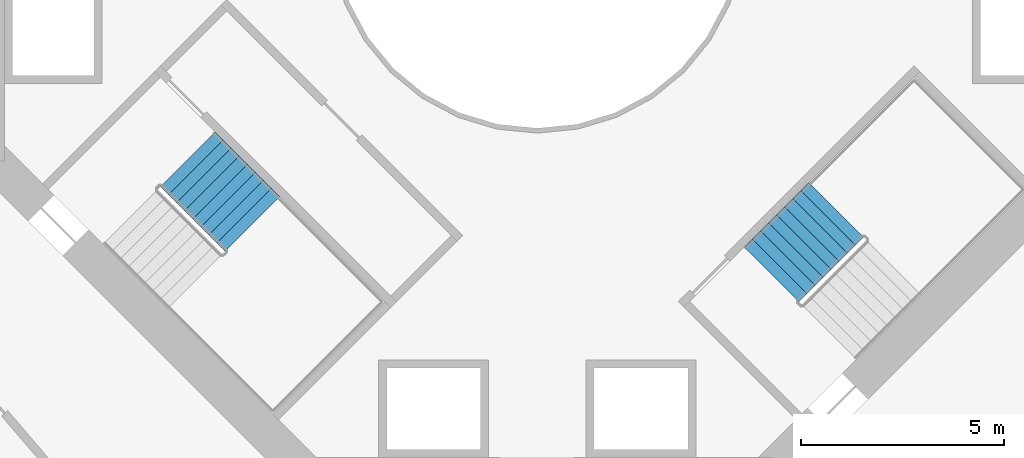
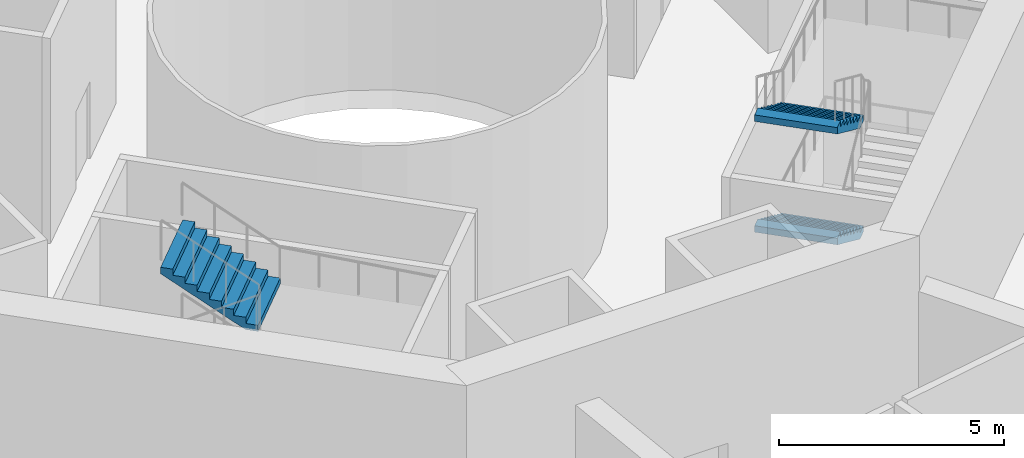
# One storey, part 15 of 20: 3 stair flights, 2 elements without a shape of their own.
"""IFC4 building model written with IfcOpenShell, lengths in metres."""

from ifc_helpers import new_model, si_unit, direction, frame, origin, place, context, subcontext, project, spatial, triangles, material, type_object, element, aggregate, save


model = new_model("IFC4")

# Units and contexts
model_context = context("Model", 3, precision=1e-05, world=origin(), true_north=direction((0.0, 1.0)))
body_context = subcontext(model_context, "Body", "Model", "MODEL_VIEW")
ifc_project = project(units=[si_unit("LENGTHUNIT", "METRE"), si_unit("AREAUNIT", "SQUARE_METRE"), si_unit("VOLUMEUNIT", "CUBIC_METRE"), si_unit("PLANEANGLEUNIT", "RADIAN"), si_unit("MASSUNIT", "GRAM", prefix="KILO")], contexts=[model_context])

# Site, building, storey
site_placement = place(None, origin())
site = spatial("IfcSite", under=ifc_project, at=site_placement, CompositionType="ELEMENT")
building_placement = place(site_placement, origin())
building = spatial("IfcBuilding", under=site, at=building_placement, Name="Verdalira Terraces Hotel", CompositionType="ELEMENT")
storey_placement = place(building_placement, frame((0.0, 0.0, 75.0)))
storey = spatial("IfcBuildingStorey", under=building, at=storey_placement, Name="L17", CompositionType="ELEMENT", Elevation=75.0)

# Stair, stair flight
ifc_material_1 = material(Name="Concrete C40", Category="concrete")
stair_type = type_object("IfcStairType", Name="Core stair 36 risers 1900 mm wide", PredefinedType="HALF_TURN_STAIR", material=ifc_material_1)
stair_1_placement = place(storey_placement, origin())
stair_1 = element("IfcStair", 1, at=stair_1_placement, inside=storey, type_object=stair_type, Name="L17 Exit stair ST2", PredefinedType="HALF_TURN_STAIR")
ifc_material_2 = material(Name="Concrete C40", Category="concrete")
stair_flight_type = type_object("IfcStairFlightType", Name="Core stair flight 36 risers 1900 mm wide", PredefinedType="STRAIGHT", material=ifc_material_2)
stair_flight_1_placement = place(storey_placement, frame((-7.007324, -7.346924, 4.5), z_axis=(0.0, 0.0, 1.0), x_axis=(-0.707106781, 0.707106781, 0.0)))
stair_flight_1 = element("IfcStairFlight", 2, at=stair_flight_1_placement, type_object=stair_flight_type, Name="ST2 flight 4", NumberOfRisers=9, NumberOfTreads=8, PredefinedType="STRAIGHT", RiserHeight=0.166666667, TreadLength=0.28, context=body_context, shape_type="Tessellation", body=[
    triangles([(0.0, 0.949951, 0.0), (0.292969, 0.949951, 0.0), (2.23999, 0.949951, 1.158936), (0.0, -0.949951, 0.0), (0.292969, -0.949951, 0.0), (2.23999, -0.949951, 1.158936), (2.23999, 0.949951, 1.333252), (1.959961, 0.949951, 1.333252), (2.23999, -0.949951, 1.333252), (1.959961, -0.949951, 1.333252), (1.959961, 0.949951, 1.166748), (1.959961, -0.949951, 1.166748), (1.679932, 0.949951, 1.166748), (1.679932, -0.949951, 1.166748), (1.679932, 0.949951, 1.0), (1.679932, -0.949951, 1.0), (1.399902, 0.949951, 1.0), (1.399902, 0.949951, 0.833252), (1.399902, -0.949951, 1.0), (1.399902, -0.949951, 0.833252), (1.120117, 0.949951, 0.833252), (1.120117, 0.949951, 0.666748), (1.120117, -0.949951, 0.833252), (1.120117, -0.949951, 0.666748), (0.840088, 0.949951, 0.666748), (0.840088, 0.949951, 0.5), (0.840088, -0.949951, 0.666748), (0.840088, -0.949951, 0.5), (0.560059, 0.949951, 0.5), (0.560059, 0.949951, 0.333252), (0.560059, -0.949951, 0.5), (0.560059, -0.949951, 0.333252), (0.280029, 0.949951, 0.333252), (0.280029, 0.949951, 0.166748), (0.280029, -0.949951, 0.333252), (0.280029, -0.949951, 0.166748), (0.0, 0.949951, 0.166748), (0.0, -0.949951, 0.166748), (0.0, -0.890579, 0.0), (0.0, -0.890579, 0.166748), (0.0, -0.831207, 0.0), (0.0, -0.831207, 0.166748), (0.0, -0.771835, 0.0), (0.0, -0.771835, 0.166748), (0.0, -0.712463, 0.0), (0.0, -0.712463, 0.166748), (0.0, -0.653091, 0.0), (0.0, -0.653091, 0.166748), (0.0, -0.593719, 0.0), (0.0, -0.593719, 0.166748), (0.0, -0.534348, 0.0), (0.0, -0.534348, 0.166748), (0.0, -0.474976, 0.0), (0.0, -0.474976, 0.166748), (0.0, -0.415604, 0.0), (0.0, -0.415604, 0.166748), (0.0, -0.356232, 0.0), (0.0, -0.356232, 0.166748), (0.0, -0.29686, 0.0), (0.0, -0.29686, 0.166748), (0.0, -0.237488, 0.0), (0.0, -0.237488, 0.166748), (0.0, -0.178116, 0.0), (0.0, -0.178116, 0.166748), (0.0, -0.118744, 0.0), (0.0, -0.118744, 0.166748), (0.0, -0.059372, 0.0), (0.0, -0.059372, 0.166748), (0.0, 0.0, 0.0), (0.0, 0.0, 0.166748), (0.0, 0.059372, 0.0), (0.0, 0.059372, 0.166748), (0.0, 0.118744, 0.0), (0.0, 0.118744, 0.166748), (0.0, 0.178116, 0.0), (0.0, 0.178116, 0.166748), (0.0, 0.237488, 0.0), (0.0, 0.237488, 0.166748), (0.0, 0.29686, 0.0), (0.0, 0.29686, 0.166748), (0.0, 0.356232, 0.0), (0.0, 0.356232, 0.166748), (0.0, 0.415604, 0.0), (0.0, 0.415604, 0.166748), (0.0, 0.474976, 0.0), (0.0, 0.474976, 0.166748), (0.0, 0.534348, 0.0), (0.0, 0.534348, 0.166748), (0.0, 0.593719, 0.0), (0.0, 0.593719, 0.166748), (0.0, 0.653091, 0.0), (0.0, 0.653091, 0.166748), (0.0, 0.712463, 0.0), (0.0, 0.712463, 0.166748), (0.0, 0.771835, 0.0), (0.0, 0.771835, 0.166748), (0.0, 0.831207, 0.0), (0.0, 0.831207, 0.166748), (0.0, 0.890579, 0.0), (0.0, 0.890579, 0.166748), (2.23999, -0.890579, 1.333252), (2.23999, -0.831207, 1.333252), (2.23999, -0.771835, 1.333252), (2.23999, -0.712463, 1.333252), (2.23999, -0.653091, 1.333252), (2.23999, -0.593719, 1.333252), (2.23999, -0.534348, 1.333252), (2.23999, -0.474976, 1.333252), (2.23999, -0.415604, 1.333252), (2.23999, -0.356232, 1.333252), (2.23999, -0.29686, 1.333252), (2.23999, -0.237488, 1.333252), (2.23999, -0.178116, 1.333252), (2.23999, -0.118744, 1.333252), (2.23999, -0.059372, 1.333252), (2.23999, 0.0, 1.333252), (2.23999, 0.059372, 1.333252), (2.23999, 0.118744, 1.333252), (2.23999, 0.178116, 1.333252), (2.23999, 0.237488, 1.333252), (2.23999, 0.29686, 1.333252), (2.23999, 0.356232, 1.333252), (2.23999, 0.415604, 1.333252), (2.23999, 0.474976, 1.333252), (2.23999, 0.534348, 1.333252), (2.23999, 0.593719, 1.333252), (2.23999, 0.653091, 1.333252), (2.23999, 0.712463, 1.333252), (2.23999, 0.771835, 1.333252), (2.23999, 0.831207, 1.333252), (2.23999, 0.890579, 1.333252), (2.23999, -0.890579, 1.158936), (2.23999, -0.831207, 1.158936), (2.23999, -0.771835, 1.158936), (2.23999, -0.712463, 1.158936), (2.23999, -0.653091, 1.158936), (2.23999, -0.593719, 1.158936), (2.23999, -0.534348, 1.158936), (2.23999, -0.474976, 1.158936), (2.23999, -0.415604, 1.158936), (2.23999, -0.356232, 1.158936), (2.23999, -0.29686, 1.158936), (2.23999, -0.237488, 1.158936), (2.23999, -0.178116, 1.158936), (2.23999, -0.118744, 1.158936), (2.23999, -0.059372, 1.158936), (2.23999, 0.0, 1.158936), (2.23999, 0.059372, 1.158936), (2.23999, 0.118744, 1.158936), (2.23999, 0.178116, 1.158936), (2.23999, 0.237488, 1.158936), (2.23999, 0.29686, 1.158936), (2.23999, 0.356232, 1.158936), (2.23999, 0.415604, 1.158936), (2.23999, 0.474976, 1.158936), (2.23999, 0.534348, 1.158936), (2.23999, 0.593719, 1.158936), (2.23999, 0.653091, 1.158936), (2.23999, 0.712463, 1.158936), (2.23999, 0.771835, 1.158936), (2.23999, 0.831207, 1.158936), (2.23999, 0.890579, 1.158936)], [[1, 3, 2], [4, 5, 6], [3, 8, 7], [6, 9, 10], [3, 11, 8], [6, 10, 12], [3, 13, 11], [6, 12, 14], [3, 15, 13], [6, 14, 16], [15, 18, 17], [16, 19, 20], [3, 18, 15], [6, 16, 20], [18, 22, 21], [20, 23, 24], [3, 22, 18], [6, 20, 24], [22, 26, 25], [24, 27, 28], [3, 26, 22], [6, 24, 28], [26, 30, 29], [28, 31, 32], [3, 30, 26], [6, 28, 32], [1, 30, 3], [4, 6, 32], [30, 34, 33], [32, 35, 36], [1, 34, 30], [4, 32, 36], [34, 1, 37], [36, 38, 4], [4, 40, 39], [4, 38, 40], [39, 42, 41], [39, 40, 42], [41, 44, 43], [41, 42, 44], [43, 46, 45], [43, 44, 46], [45, 48, 47], [45, 46, 48], [47, 50, 49], [47, 48, 50], [49, 52, 51], [49, 50, 52], [51, 54, 53], [51, 52, 54], [53, 56, 55], [53, 54, 56], [55, 58, 57], [55, 56, 58], [57, 60, 59], [57, 58, 60], [59, 62, 61], [59, 60, 62], [61, 64, 63], [61, 62, 64], [63, 66, 65], [63, 64, 66], [65, 68, 67], [65, 66, 68], [67, 70, 69], [67, 68, 70], [69, 72, 71], [69, 70, 72], [71, 74, 73], [71, 72, 74], [73, 76, 75], [73, 74, 76], [75, 78, 77], [75, 76, 78], [77, 80, 79], [77, 78, 80], [79, 82, 81], [79, 80, 82], [81, 84, 83], [81, 82, 84], [83, 86, 85], [83, 84, 86], [85, 88, 87], [85, 86, 88], [87, 90, 89], [87, 88, 90], [89, 92, 91], [89, 90, 92], [91, 94, 93], [91, 92, 94], [93, 96, 95], [93, 94, 96], [95, 98, 97], [95, 96, 98], [97, 100, 99], [97, 98, 100], [99, 37, 1], [99, 100, 37], [38, 36, 40], [40, 36, 42], [42, 36, 44], [44, 36, 46], [46, 36, 48], [48, 36, 50], [50, 36, 52], [52, 36, 54], [54, 36, 56], [56, 36, 58], [58, 36, 60], [60, 36, 62], [62, 36, 64], [64, 36, 66], [66, 36, 68], [68, 36, 70], [70, 36, 72], [72, 36, 74], [74, 36, 76], [76, 36, 78], [78, 36, 80], [80, 36, 82], [82, 36, 84], [84, 36, 86], [86, 36, 88], [88, 36, 90], [90, 36, 92], [92, 36, 94], [94, 36, 96], [96, 36, 98], [98, 36, 100], [100, 36, 37], [37, 36, 34], [36, 33, 34], [36, 35, 33], [35, 30, 33], [35, 32, 30], [32, 29, 30], [32, 31, 29], [31, 26, 29], [31, 28, 26], [28, 25, 26], [28, 27, 25], [27, 22, 25], [27, 24, 22], [24, 21, 22], [24, 23, 21], [23, 18, 21], [23, 20, 18], [20, 17, 18], [20, 19, 17], [19, 15, 17], [19, 16, 15], [16, 13, 15], [16, 14, 13], [14, 11, 13], [14, 12, 11], [12, 8, 11], [12, 10, 8], [9, 101, 10], [101, 102, 10], [102, 103, 10], [103, 104, 10], [104, 105, 10], [105, 106, 10], [106, 107, 10], [107, 108, 10], [108, 109, 10], [109, 110, 10], [110, 111, 10], [111, 112, 10], [112, 113, 10], [113, 114, 10], [114, 115, 10], [115, 116, 10], [116, 117, 10], [117, 118, 10], [118, 119, 10], [119, 120, 10], [120, 121, 10], [121, 122, 10], [122, 123, 10], [123, 124, 10], [124, 125, 10], [125, 126, 10], [126, 127, 10], [127, 128, 10], [128, 129, 10], [129, 130, 10], [130, 131, 10], [131, 7, 10], [7, 8, 10], [9, 132, 101], [9, 6, 132], [101, 133, 102], [101, 132, 133], [102, 134, 103], [102, 133, 134], [103, 135, 104], [103, 134, 135], [104, 136, 105], [104, 135, 136], [105, 137, 106], [105, 136, 137], [106, 138, 107], [106, 137, 138], [107, 139, 108], [107, 138, 139], [108, 140, 109], [108, 139, 140], [109, 141, 110], [109, 140, 141], [110, 142, 111], [110, 141, 142], [111, 143, 112], [111, 142, 143], [112, 144, 113], [112, 143, 144], [113, 145, 114], [113, 144, 145], [114, 146, 115], [114, 145, 146], [115, 147, 116], [115, 146, 147], [116, 148, 117], [116, 147, 148], [117, 149, 118], [117, 148, 149], [118, 150, 119], [118, 149, 150], [119, 151, 120], [119, 150, 151], [120, 152, 121], [120, 151, 152], [121, 153, 122], [121, 152, 153], [122, 154, 123], [122, 153, 154], [123, 155, 124], [123, 154, 155], [124, 156, 125], [124, 155, 156], [125, 157, 126], [125, 156, 157], [126, 158, 127], [126, 157, 158], [127, 159, 128], [127, 158, 159], [128, 160, 129], [128, 159, 160], [129, 161, 130], [129, 160, 161], [130, 162, 131], [130, 161, 162], [131, 3, 7], [131, 162, 3], [6, 5, 132], [132, 5, 133], [133, 5, 134], [134, 5, 135], [135, 5, 136], [136, 5, 137], [137, 5, 138], [138, 5, 139], [139, 5, 140], [140, 5, 141], [141, 5, 142], [142, 5, 143], [143, 5, 144], [144, 5, 145], [145, 5, 146], [146, 5, 147], [147, 5, 148], [148, 5, 149], [149, 5, 150], [150, 5, 151], [151, 5, 152], [152, 5, 153], [153, 5, 154], [154, 5, 155], [155, 5, 156], [156, 5, 157], [157, 5, 158], [158, 5, 159], [159, 5, 160], [160, 5, 161], [161, 5, 162], [162, 5, 3], [3, 5, 2], [4, 39, 5], [39, 41, 5], [41, 43, 5], [43, 45, 5], [45, 47, 5], [47, 49, 5], [49, 51, 5], [51, 53, 5], [53, 55, 5], [55, 57, 5], [57, 59, 5], [59, 61, 5], [61, 63, 5], [63, 65, 5], [65, 67, 5], [67, 69, 5], [69, 71, 5], [71, 73, 5], [73, 75, 5], [75, 77, 5], [77, 79, 5], [79, 81, 5], [81, 83, 5], [83, 85, 5], [85, 87, 5], [87, 89, 5], [89, 91, 5], [91, 93, 5], [93, 95, 5], [95, 97, 5], [97, 99, 5], [99, 1, 5], [1, 2, 5]], closed=True),
])
aggregate(stair_1, [stair_flight_1])

# Stair, stair flights
stair_2_placement = place(storey_placement, origin())
stair_2 = element("IfcStair", 3, at=stair_2_placement, inside=storey, type_object=stair_type, Name="L17 Exit stair ST3", PredefinedType="HALF_TURN_STAIR")
stair_flight_2_placement = place(storey_placement, frame((7.346924, -7.007324, 1.5), z_axis=(0.0, 0.0, 1.0), x_axis=(-0.707106781, -0.707106781, 0.0)))
stair_flight_2 = element("IfcStairFlight", 4, at=stair_flight_2_placement, type_object=stair_flight_type, Name="ST3 flight 2", NumberOfRisers=9, NumberOfTreads=8, PredefinedType="STRAIGHT", RiserHeight=0.166666667, TreadLength=0.28, context=body_context, shape_type="Tessellation", body=[
    triangles([(0.0, 0.949951, 0.0), (0.292969, 0.949951, 0.0), (2.23999, 0.949951, 1.158936), (0.0, -0.949951, 0.0), (0.292969, -0.949951, 0.0), (2.23999, -0.949951, 1.158936), (2.23999, 0.949951, 1.333252), (1.959961, 0.949951, 1.333252), (2.23999, -0.949951, 1.333252), (1.959961, -0.949951, 1.333252), (1.959961, 0.949951, 1.166748), (1.959961, -0.949951, 1.166748), (1.679932, 0.949951, 1.166748), (1.679932, -0.949951, 1.166748), (1.679932, 0.949951, 1.0), (1.679932, -0.949951, 1.0), (1.399902, 0.949951, 1.0), (1.399902, 0.949951, 0.833252), (1.399902, -0.949951, 1.0), (1.399902, -0.949951, 0.833252), (1.120117, 0.949951, 0.833252), (1.120117, 0.949951, 0.666748), (1.120117, -0.949951, 0.833252), (1.120117, -0.949951, 0.666748), (0.840088, 0.949951, 0.666748), (0.840088, 0.949951, 0.5), (0.840088, -0.949951, 0.666748), (0.840088, -0.949951, 0.5), (0.560059, 0.949951, 0.5), (0.560059, 0.949951, 0.333252), (0.560059, -0.949951, 0.5), (0.560059, -0.949951, 0.333252), (0.280029, 0.949951, 0.333252), (0.280029, 0.949951, 0.166748), (0.280029, -0.949951, 0.333252), (0.280029, -0.949951, 0.166748), (0.0, 0.949951, 0.166748), (0.0, -0.949951, 0.166748), (0.0, -0.890579, 0.0), (0.0, -0.890579, 0.166748), (0.0, -0.831207, 0.0), (0.0, -0.831207, 0.166748), (0.0, -0.771835, 0.0), (0.0, -0.771835, 0.166748), (0.0, -0.712463, 0.0), (0.0, -0.712463, 0.166748), (0.0, -0.653091, 0.0), (0.0, -0.653091, 0.166748), (0.0, -0.593719, 0.0), (0.0, -0.593719, 0.166748), (0.0, -0.534348, 0.0), (0.0, -0.534348, 0.166748), (0.0, -0.474976, 0.0), (0.0, -0.474976, 0.166748), (0.0, -0.415604, 0.0), (0.0, -0.415604, 0.166748), (0.0, -0.356232, 0.0), (0.0, -0.356232, 0.166748), (0.0, -0.29686, 0.0), (0.0, -0.29686, 0.166748), (0.0, -0.237488, 0.0), (0.0, -0.237488, 0.166748), (0.0, -0.178116, 0.0), (0.0, -0.178116, 0.166748), (0.0, -0.118744, 0.0), (0.0, -0.118744, 0.166748), (0.0, -0.059372, 0.0), (0.0, -0.059372, 0.166748), (0.0, 0.0, 0.0), (0.0, 0.0, 0.166748), (0.0, 0.059372, 0.0), (0.0, 0.059372, 0.166748), (0.0, 0.118744, 0.0), (0.0, 0.118744, 0.166748), (0.0, 0.178116, 0.0), (0.0, 0.178116, 0.166748), (0.0, 0.237488, 0.0), (0.0, 0.237488, 0.166748), (0.0, 0.29686, 0.0), (0.0, 0.29686, 0.166748), (0.0, 0.356232, 0.0), (0.0, 0.356232, 0.166748), (0.0, 0.415604, 0.0), (0.0, 0.415604, 0.166748), (0.0, 0.474976, 0.0), (0.0, 0.474976, 0.166748), (0.0, 0.534348, 0.0), (0.0, 0.534348, 0.166748), (0.0, 0.593719, 0.0), (0.0, 0.593719, 0.166748), (0.0, 0.653091, 0.0), (0.0, 0.653091, 0.166748), (0.0, 0.712463, 0.0), (0.0, 0.712463, 0.166748), (0.0, 0.771835, 0.0), (0.0, 0.771835, 0.166748), (0.0, 0.831207, 0.0), (0.0, 0.831207, 0.166748), (0.0, 0.890579, 0.0), (0.0, 0.890579, 0.166748), (2.23999, -0.890579, 1.333252), (2.23999, -0.831207, 1.333252), (2.23999, -0.771835, 1.333252), (2.23999, -0.712463, 1.333252), (2.23999, -0.653091, 1.333252), (2.23999, -0.593719, 1.333252), (2.23999, -0.534348, 1.333252), (2.23999, -0.474976, 1.333252), (2.23999, -0.415604, 1.333252), (2.23999, -0.356232, 1.333252), (2.23999, -0.29686, 1.333252), (2.23999, -0.237488, 1.333252), (2.23999, -0.178116, 1.333252), (2.23999, -0.118744, 1.333252), (2.23999, -0.059372, 1.333252), (2.23999, 0.0, 1.333252), (2.23999, 0.059372, 1.333252), (2.23999, 0.118744, 1.333252), (2.23999, 0.178116, 1.333252), (2.23999, 0.237488, 1.333252), (2.23999, 0.29686, 1.333252), (2.23999, 0.356232, 1.333252), (2.23999, 0.415604, 1.333252), (2.23999, 0.474976, 1.333252), (2.23999, 0.534348, 1.333252), (2.23999, 0.593719, 1.333252), (2.23999, 0.653091, 1.333252), (2.23999, 0.712463, 1.333252), (2.23999, 0.771835, 1.333252), (2.23999, 0.831207, 1.333252), (2.23999, 0.890579, 1.333252), (2.23999, -0.890579, 1.158936), (2.23999, -0.831207, 1.158936), (2.23999, -0.771835, 1.158936), (2.23999, -0.712463, 1.158936), (2.23999, -0.653091, 1.158936), (2.23999, -0.593719, 1.158936), (2.23999, -0.534348, 1.158936), (2.23999, -0.474976, 1.158936), (2.23999, -0.415604, 1.158936), (2.23999, -0.356232, 1.158936), (2.23999, -0.29686, 1.158936), (2.23999, -0.237488, 1.158936), (2.23999, -0.178116, 1.158936), (2.23999, -0.118744, 1.158936), (2.23999, -0.059372, 1.158936), (2.23999, 0.0, 1.158936), (2.23999, 0.059372, 1.158936), (2.23999, 0.118744, 1.158936), (2.23999, 0.178116, 1.158936), (2.23999, 0.237488, 1.158936), (2.23999, 0.29686, 1.158936), (2.23999, 0.356232, 1.158936), (2.23999, 0.415604, 1.158936), (2.23999, 0.474976, 1.158936), (2.23999, 0.534348, 1.158936), (2.23999, 0.593719, 1.158936), (2.23999, 0.653091, 1.158936), (2.23999, 0.712463, 1.158936), (2.23999, 0.771835, 1.158936), (2.23999, 0.831207, 1.158936), (2.23999, 0.890579, 1.158936)], [[1, 3, 2], [4, 5, 6], [3, 8, 7], [6, 9, 10], [3, 11, 8], [6, 10, 12], [3, 13, 11], [6, 12, 14], [3, 15, 13], [6, 14, 16], [15, 18, 17], [16, 19, 20], [3, 18, 15], [6, 16, 20], [18, 22, 21], [20, 23, 24], [3, 22, 18], [6, 20, 24], [22, 26, 25], [24, 27, 28], [3, 26, 22], [6, 24, 28], [26, 30, 29], [28, 31, 32], [3, 30, 26], [6, 28, 32], [1, 30, 3], [4, 6, 32], [30, 34, 33], [32, 35, 36], [1, 34, 30], [4, 32, 36], [34, 1, 37], [36, 38, 4], [4, 40, 39], [4, 38, 40], [39, 42, 41], [39, 40, 42], [41, 44, 43], [41, 42, 44], [43, 46, 45], [43, 44, 46], [45, 48, 47], [45, 46, 48], [47, 50, 49], [47, 48, 50], [49, 52, 51], [49, 50, 52], [51, 54, 53], [51, 52, 54], [53, 56, 55], [53, 54, 56], [55, 58, 57], [55, 56, 58], [57, 60, 59], [57, 58, 60], [59, 62, 61], [59, 60, 62], [61, 64, 63], [61, 62, 64], [63, 66, 65], [63, 64, 66], [65, 68, 67], [65, 66, 68], [67, 70, 69], [67, 68, 70], [69, 72, 71], [69, 70, 72], [71, 74, 73], [71, 72, 74], [73, 76, 75], [73, 74, 76], [75, 78, 77], [75, 76, 78], [77, 80, 79], [77, 78, 80], [79, 82, 81], [79, 80, 82], [81, 84, 83], [81, 82, 84], [83, 86, 85], [83, 84, 86], [85, 88, 87], [85, 86, 88], [87, 90, 89], [87, 88, 90], [89, 92, 91], [89, 90, 92], [91, 94, 93], [91, 92, 94], [93, 96, 95], [93, 94, 96], [95, 98, 97], [95, 96, 98], [97, 100, 99], [97, 98, 100], [99, 37, 1], [99, 100, 37], [38, 36, 40], [40, 36, 42], [42, 36, 44], [44, 36, 46], [46, 36, 48], [48, 36, 50], [50, 36, 52], [52, 36, 54], [54, 36, 56], [56, 36, 58], [58, 36, 60], [60, 36, 62], [62, 36, 64], [64, 36, 66], [66, 36, 68], [68, 36, 70], [70, 36, 72], [72, 36, 74], [74, 36, 76], [76, 36, 78], [78, 36, 80], [80, 36, 82], [82, 36, 84], [84, 36, 86], [86, 36, 88], [88, 36, 90], [90, 36, 92], [92, 36, 94], [94, 36, 96], [96, 36, 98], [98, 36, 100], [100, 36, 37], [37, 36, 34], [36, 33, 34], [36, 35, 33], [35, 30, 33], [35, 32, 30], [32, 29, 30], [32, 31, 29], [31, 26, 29], [31, 28, 26], [28, 25, 26], [28, 27, 25], [27, 22, 25], [27, 24, 22], [24, 21, 22], [24, 23, 21], [23, 18, 21], [23, 20, 18], [20, 17, 18], [20, 19, 17], [19, 15, 17], [19, 16, 15], [16, 13, 15], [16, 14, 13], [14, 11, 13], [14, 12, 11], [12, 8, 11], [12, 10, 8], [9, 101, 10], [101, 102, 10], [102, 103, 10], [103, 104, 10], [104, 105, 10], [105, 106, 10], [106, 107, 10], [107, 108, 10], [108, 109, 10], [109, 110, 10], [110, 111, 10], [111, 112, 10], [112, 113, 10], [113, 114, 10], [114, 115, 10], [115, 116, 10], [116, 117, 10], [117, 118, 10], [118, 119, 10], [119, 120, 10], [120, 121, 10], [121, 122, 10], [122, 123, 10], [123, 124, 10], [124, 125, 10], [125, 126, 10], [126, 127, 10], [127, 128, 10], [128, 129, 10], [129, 130, 10], [130, 131, 10], [131, 7, 10], [7, 8, 10], [9, 132, 101], [9, 6, 132], [101, 133, 102], [101, 132, 133], [102, 134, 103], [102, 133, 134], [103, 135, 104], [103, 134, 135], [104, 136, 105], [104, 135, 136], [105, 137, 106], [105, 136, 137], [106, 138, 107], [106, 137, 138], [107, 139, 108], [107, 138, 139], [108, 140, 109], [108, 139, 140], [109, 141, 110], [109, 140, 141], [110, 142, 111], [110, 141, 142], [111, 143, 112], [111, 142, 143], [112, 144, 113], [112, 143, 144], [113, 145, 114], [113, 144, 145], [114, 146, 115], [114, 145, 146], [115, 147, 116], [115, 146, 147], [116, 148, 117], [116, 147, 148], [117, 149, 118], [117, 148, 149], [118, 150, 119], [118, 149, 150], [119, 151, 120], [119, 150, 151], [120, 152, 121], [120, 151, 152], [121, 153, 122], [121, 152, 153], [122, 154, 123], [122, 153, 154], [123, 155, 124], [123, 154, 155], [124, 156, 125], [124, 155, 156], [125, 157, 126], [125, 156, 157], [126, 158, 127], [126, 157, 158], [127, 159, 128], [127, 158, 159], [128, 160, 129], [128, 159, 160], [129, 161, 130], [129, 160, 161], [130, 162, 131], [130, 161, 162], [131, 3, 7], [131, 162, 3], [6, 5, 132], [132, 5, 133], [133, 5, 134], [134, 5, 135], [135, 5, 136], [136, 5, 137], [137, 5, 138], [138, 5, 139], [139, 5, 140], [140, 5, 141], [141, 5, 142], [142, 5, 143], [143, 5, 144], [144, 5, 145], [145, 5, 146], [146, 5, 147], [147, 5, 148], [148, 5, 149], [149, 5, 150], [150, 5, 151], [151, 5, 152], [152, 5, 153], [153, 5, 154], [154, 5, 155], [155, 5, 156], [156, 5, 157], [157, 5, 158], [158, 5, 159], [159, 5, 160], [160, 5, 161], [161, 5, 162], [162, 5, 3], [3, 5, 2], [4, 39, 5], [39, 41, 5], [41, 43, 5], [43, 45, 5], [45, 47, 5], [47, 49, 5], [49, 51, 5], [51, 53, 5], [53, 55, 5], [55, 57, 5], [57, 59, 5], [59, 61, 5], [61, 63, 5], [63, 65, 5], [65, 67, 5], [67, 69, 5], [69, 71, 5], [71, 73, 5], [73, 75, 5], [75, 77, 5], [77, 79, 5], [79, 81, 5], [81, 83, 5], [83, 85, 5], [85, 87, 5], [87, 89, 5], [89, 91, 5], [91, 93, 5], [93, 95, 5], [95, 97, 5], [97, 99, 5], [99, 1, 5], [1, 2, 5]], closed=True),
])
stair_flight_3_placement = place(storey_placement, frame((7.346924, -7.007324, 4.5), z_axis=(0.0, 0.0, 1.0), x_axis=(-0.707106781, -0.707106781, 0.0)))
stair_flight_3 = element("IfcStairFlight", 5, at=stair_flight_3_placement, type_object=stair_flight_type, Name="ST3 flight 4", NumberOfRisers=9, NumberOfTreads=8, PredefinedType="STRAIGHT", RiserHeight=0.166666667, TreadLength=0.28, context=body_context, shape_type="Tessellation", body=[
    triangles([(0.0, 0.949951, 0.0), (0.292969, 0.949951, 0.0), (2.23999, 0.949951, 1.158936), (0.0, -0.949951, 0.0), (0.292969, -0.949951, 0.0), (2.23999, -0.949951, 1.158936), (2.23999, 0.949951, 1.333252), (1.959961, 0.949951, 1.333252), (2.23999, -0.949951, 1.333252), (1.959961, -0.949951, 1.333252), (1.959961, 0.949951, 1.166748), (1.959961, -0.949951, 1.166748), (1.679932, 0.949951, 1.166748), (1.679932, -0.949951, 1.166748), (1.679932, 0.949951, 1.0), (1.679932, -0.949951, 1.0), (1.399902, 0.949951, 1.0), (1.399902, 0.949951, 0.833252), (1.399902, -0.949951, 1.0), (1.399902, -0.949951, 0.833252), (1.120117, 0.949951, 0.833252), (1.120117, 0.949951, 0.666748), (1.120117, -0.949951, 0.833252), (1.120117, -0.949951, 0.666748), (0.840088, 0.949951, 0.666748), (0.840088, 0.949951, 0.5), (0.840088, -0.949951, 0.666748), (0.840088, -0.949951, 0.5), (0.560059, 0.949951, 0.5), (0.560059, 0.949951, 0.333252), (0.560059, -0.949951, 0.5), (0.560059, -0.949951, 0.333252), (0.280029, 0.949951, 0.333252), (0.280029, 0.949951, 0.166748), (0.280029, -0.949951, 0.333252), (0.280029, -0.949951, 0.166748), (0.0, 0.949951, 0.166748), (0.0, -0.949951, 0.166748), (0.0, -0.890579, 0.0), (0.0, -0.890579, 0.166748), (0.0, -0.831207, 0.0), (0.0, -0.831207, 0.166748), (0.0, -0.771835, 0.0), (0.0, -0.771835, 0.166748), (0.0, -0.712463, 0.0), (0.0, -0.712463, 0.166748), (0.0, -0.653091, 0.0), (0.0, -0.653091, 0.166748), (0.0, -0.593719, 0.0), (0.0, -0.593719, 0.166748), (0.0, -0.534348, 0.0), (0.0, -0.534348, 0.166748), (0.0, -0.474976, 0.0), (0.0, -0.474976, 0.166748), (0.0, -0.415604, 0.0), (0.0, -0.415604, 0.166748), (0.0, -0.356232, 0.0), (0.0, -0.356232, 0.166748), (0.0, -0.29686, 0.0), (0.0, -0.29686, 0.166748), (0.0, -0.237488, 0.0), (0.0, -0.237488, 0.166748), (0.0, -0.178116, 0.0), (0.0, -0.178116, 0.166748), (0.0, -0.118744, 0.0), (0.0, -0.118744, 0.166748), (0.0, -0.059372, 0.0), (0.0, -0.059372, 0.166748), (0.0, 0.0, 0.0), (0.0, 0.0, 0.166748), (0.0, 0.059372, 0.0), (0.0, 0.059372, 0.166748), (0.0, 0.118744, 0.0), (0.0, 0.118744, 0.166748), (0.0, 0.178116, 0.0), (0.0, 0.178116, 0.166748), (0.0, 0.237488, 0.0), (0.0, 0.237488, 0.166748), (0.0, 0.29686, 0.0), (0.0, 0.29686, 0.166748), (0.0, 0.356232, 0.0), (0.0, 0.356232, 0.166748), (0.0, 0.415604, 0.0), (0.0, 0.415604, 0.166748), (0.0, 0.474976, 0.0), (0.0, 0.474976, 0.166748), (0.0, 0.534348, 0.0), (0.0, 0.534348, 0.166748), (0.0, 0.593719, 0.0), (0.0, 0.593719, 0.166748), (0.0, 0.653091, 0.0), (0.0, 0.653091, 0.166748), (0.0, 0.712463, 0.0), (0.0, 0.712463, 0.166748), (0.0, 0.771835, 0.0), (0.0, 0.771835, 0.166748), (0.0, 0.831207, 0.0), (0.0, 0.831207, 0.166748), (0.0, 0.890579, 0.0), (0.0, 0.890579, 0.166748), (2.23999, -0.890579, 1.333252), (2.23999, -0.831207, 1.333252), (2.23999, -0.771835, 1.333252), (2.23999, -0.712463, 1.333252), (2.23999, -0.653091, 1.333252), (2.23999, -0.593719, 1.333252), (2.23999, -0.534348, 1.333252), (2.23999, -0.474976, 1.333252), (2.23999, -0.415604, 1.333252), (2.23999, -0.356232, 1.333252), (2.23999, -0.29686, 1.333252), (2.23999, -0.237488, 1.333252), (2.23999, -0.178116, 1.333252), (2.23999, -0.118744, 1.333252), (2.23999, -0.059372, 1.333252), (2.23999, 0.0, 1.333252), (2.23999, 0.059372, 1.333252), (2.23999, 0.118744, 1.333252), (2.23999, 0.178116, 1.333252), (2.23999, 0.237488, 1.333252), (2.23999, 0.29686, 1.333252), (2.23999, 0.356232, 1.333252), (2.23999, 0.415604, 1.333252), (2.23999, 0.474976, 1.333252), (2.23999, 0.534348, 1.333252), (2.23999, 0.593719, 1.333252), (2.23999, 0.653091, 1.333252), (2.23999, 0.712463, 1.333252), (2.23999, 0.771835, 1.333252), (2.23999, 0.831207, 1.333252), (2.23999, 0.890579, 1.333252), (2.23999, -0.890579, 1.158936), (2.23999, -0.831207, 1.158936), (2.23999, -0.771835, 1.158936), (2.23999, -0.712463, 1.158936), (2.23999, -0.653091, 1.158936), (2.23999, -0.593719, 1.158936), (2.23999, -0.534348, 1.158936), (2.23999, -0.474976, 1.158936), (2.23999, -0.415604, 1.158936), (2.23999, -0.356232, 1.158936), (2.23999, -0.29686, 1.158936), (2.23999, -0.237488, 1.158936), (2.23999, -0.178116, 1.158936), (2.23999, -0.118744, 1.158936), (2.23999, -0.059372, 1.158936), (2.23999, 0.0, 1.158936), (2.23999, 0.059372, 1.158936), (2.23999, 0.118744, 1.158936), (2.23999, 0.178116, 1.158936), (2.23999, 0.237488, 1.158936), (2.23999, 0.29686, 1.158936), (2.23999, 0.356232, 1.158936), (2.23999, 0.415604, 1.158936), (2.23999, 0.474976, 1.158936), (2.23999, 0.534348, 1.158936), (2.23999, 0.593719, 1.158936), (2.23999, 0.653091, 1.158936), (2.23999, 0.712463, 1.158936), (2.23999, 0.771835, 1.158936), (2.23999, 0.831207, 1.158936), (2.23999, 0.890579, 1.158936)], [[1, 3, 2], [4, 5, 6], [3, 8, 7], [6, 9, 10], [3, 11, 8], [6, 10, 12], [3, 13, 11], [6, 12, 14], [3, 15, 13], [6, 14, 16], [15, 18, 17], [16, 19, 20], [3, 18, 15], [6, 16, 20], [18, 22, 21], [20, 23, 24], [3, 22, 18], [6, 20, 24], [22, 26, 25], [24, 27, 28], [3, 26, 22], [6, 24, 28], [26, 30, 29], [28, 31, 32], [3, 30, 26], [6, 28, 32], [1, 30, 3], [4, 6, 32], [30, 34, 33], [32, 35, 36], [1, 34, 30], [4, 32, 36], [34, 1, 37], [36, 38, 4], [4, 40, 39], [4, 38, 40], [39, 42, 41], [39, 40, 42], [41, 44, 43], [41, 42, 44], [43, 46, 45], [43, 44, 46], [45, 48, 47], [45, 46, 48], [47, 50, 49], [47, 48, 50], [49, 52, 51], [49, 50, 52], [51, 54, 53], [51, 52, 54], [53, 56, 55], [53, 54, 56], [55, 58, 57], [55, 56, 58], [57, 60, 59], [57, 58, 60], [59, 62, 61], [59, 60, 62], [61, 64, 63], [61, 62, 64], [63, 66, 65], [63, 64, 66], [65, 68, 67], [65, 66, 68], [67, 70, 69], [67, 68, 70], [69, 72, 71], [69, 70, 72], [71, 74, 73], [71, 72, 74], [73, 76, 75], [73, 74, 76], [75, 78, 77], [75, 76, 78], [77, 80, 79], [77, 78, 80], [79, 82, 81], [79, 80, 82], [81, 84, 83], [81, 82, 84], [83, 86, 85], [83, 84, 86], [85, 88, 87], [85, 86, 88], [87, 90, 89], [87, 88, 90], [89, 92, 91], [89, 90, 92], [91, 94, 93], [91, 92, 94], [93, 96, 95], [93, 94, 96], [95, 98, 97], [95, 96, 98], [97, 100, 99], [97, 98, 100], [99, 37, 1], [99, 100, 37], [38, 36, 40], [40, 36, 42], [42, 36, 44], [44, 36, 46], [46, 36, 48], [48, 36, 50], [50, 36, 52], [52, 36, 54], [54, 36, 56], [56, 36, 58], [58, 36, 60], [60, 36, 62], [62, 36, 64], [64, 36, 66], [66, 36, 68], [68, 36, 70], [70, 36, 72], [72, 36, 74], [74, 36, 76], [76, 36, 78], [78, 36, 80], [80, 36, 82], [82, 36, 84], [84, 36, 86], [86, 36, 88], [88, 36, 90], [90, 36, 92], [92, 36, 94], [94, 36, 96], [96, 36, 98], [98, 36, 100], [100, 36, 37], [37, 36, 34], [36, 33, 34], [36, 35, 33], [35, 30, 33], [35, 32, 30], [32, 29, 30], [32, 31, 29], [31, 26, 29], [31, 28, 26], [28, 25, 26], [28, 27, 25], [27, 22, 25], [27, 24, 22], [24, 21, 22], [24, 23, 21], [23, 18, 21], [23, 20, 18], [20, 17, 18], [20, 19, 17], [19, 15, 17], [19, 16, 15], [16, 13, 15], [16, 14, 13], [14, 11, 13], [14, 12, 11], [12, 8, 11], [12, 10, 8], [9, 101, 10], [101, 102, 10], [102, 103, 10], [103, 104, 10], [104, 105, 10], [105, 106, 10], [106, 107, 10], [107, 108, 10], [108, 109, 10], [109, 110, 10], [110, 111, 10], [111, 112, 10], [112, 113, 10], [113, 114, 10], [114, 115, 10], [115, 116, 10], [116, 117, 10], [117, 118, 10], [118, 119, 10], [119, 120, 10], [120, 121, 10], [121, 122, 10], [122, 123, 10], [123, 124, 10], [124, 125, 10], [125, 126, 10], [126, 127, 10], [127, 128, 10], [128, 129, 10], [129, 130, 10], [130, 131, 10], [131, 7, 10], [7, 8, 10], [9, 132, 101], [9, 6, 132], [101, 133, 102], [101, 132, 133], [102, 134, 103], [102, 133, 134], [103, 135, 104], [103, 134, 135], [104, 136, 105], [104, 135, 136], [105, 137, 106], [105, 136, 137], [106, 138, 107], [106, 137, 138], [107, 139, 108], [107, 138, 139], [108, 140, 109], [108, 139, 140], [109, 141, 110], [109, 140, 141], [110, 142, 111], [110, 141, 142], [111, 143, 112], [111, 142, 143], [112, 144, 113], [112, 143, 144], [113, 145, 114], [113, 144, 145], [114, 146, 115], [114, 145, 146], [115, 147, 116], [115, 146, 147], [116, 148, 117], [116, 147, 148], [117, 149, 118], [117, 148, 149], [118, 150, 119], [118, 149, 150], [119, 151, 120], [119, 150, 151], [120, 152, 121], [120, 151, 152], [121, 153, 122], [121, 152, 153], [122, 154, 123], [122, 153, 154], [123, 155, 124], [123, 154, 155], [124, 156, 125], [124, 155, 156], [125, 157, 126], [125, 156, 157], [126, 158, 127], [126, 157, 158], [127, 159, 128], [127, 158, 159], [128, 160, 129], [128, 159, 160], [129, 161, 130], [129, 160, 161], [130, 162, 131], [130, 161, 162], [131, 3, 7], [131, 162, 3], [6, 5, 132], [132, 5, 133], [133, 5, 134], [134, 5, 135], [135, 5, 136], [136, 5, 137], [137, 5, 138], [138, 5, 139], [139, 5, 140], [140, 5, 141], [141, 5, 142], [142, 5, 143], [143, 5, 144], [144, 5, 145], [145, 5, 146], [146, 5, 147], [147, 5, 148], [148, 5, 149], [149, 5, 150], [150, 5, 151], [151, 5, 152], [152, 5, 153], [153, 5, 154], [154, 5, 155], [155, 5, 156], [156, 5, 157], [157, 5, 158], [158, 5, 159], [159, 5, 160], [160, 5, 161], [161, 5, 162], [162, 5, 3], [3, 5, 2], [4, 39, 5], [39, 41, 5], [41, 43, 5], [43, 45, 5], [45, 47, 5], [47, 49, 5], [49, 51, 5], [51, 53, 5], [53, 55, 5], [55, 57, 5], [57, 59, 5], [59, 61, 5], [61, 63, 5], [63, 65, 5], [65, 67, 5], [67, 69, 5], [69, 71, 5], [71, 73, 5], [73, 75, 5], [75, 77, 5], [77, 79, 5], [79, 81, 5], [81, 83, 5], [83, 85, 5], [85, 87, 5], [87, 89, 5], [89, 91, 5], [91, 93, 5], [93, 95, 5], [95, 97, 5], [97, 99, 5], [99, 1, 5], [1, 2, 5]], closed=True),
])
aggregate(stair_2, [stair_flight_2, stair_flight_3])

save(model, "model.ifc")
